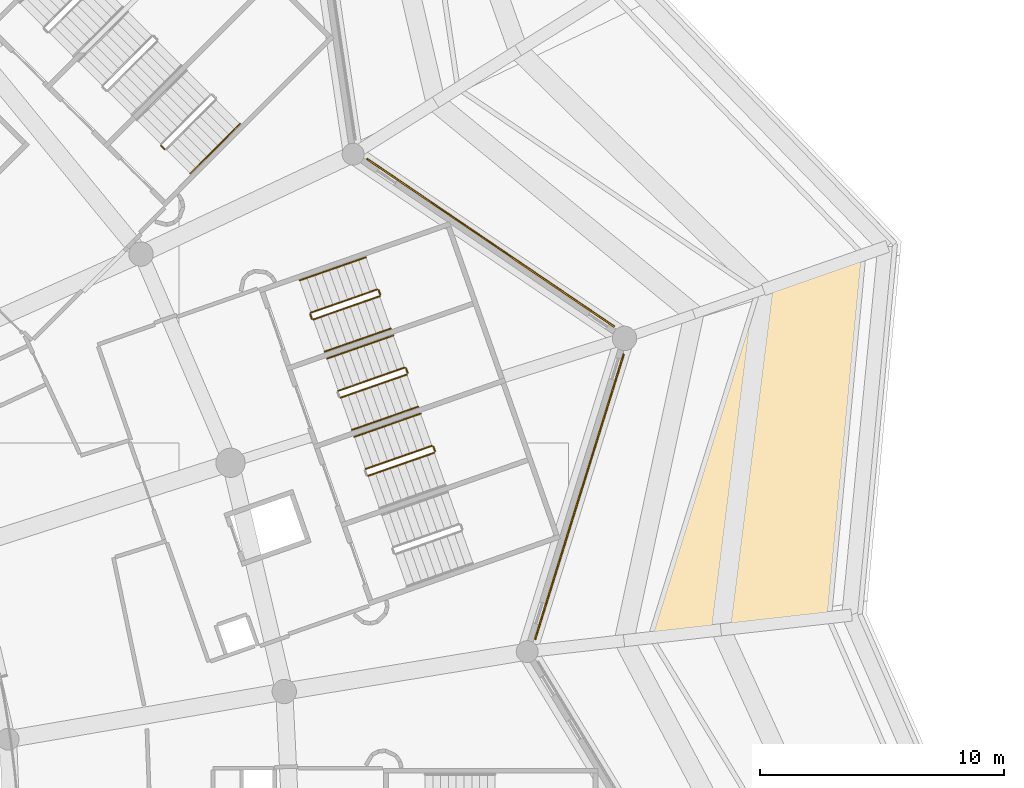
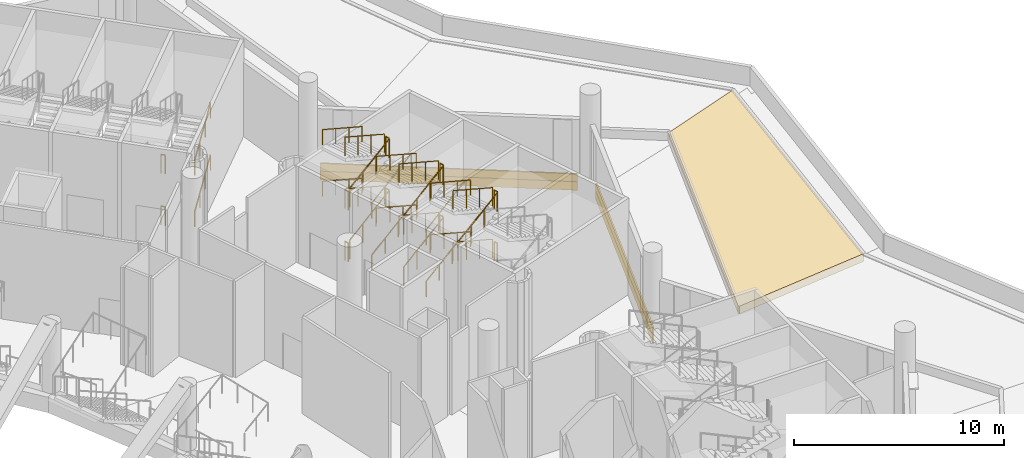
# One storey, part 165 of 173: 33 railings, 5 coverings.
"""IFC4 building model written with IfcOpenShell, lengths in metres."""

from ifc_helpers import new_model, si_unit, direction, frame, origin, origin_2d, place, context, subcontext, project, spatial, polyline, rectangle, circle, outline, extrude, material, layer, layer_set, type_object, element, save


model = new_model("IFC4")

# Units and contexts
model_context = context("Model", 3, precision=1e-05, world=origin(), true_north=direction((0.0, 1.0)))
body_context = subcontext(model_context, "Body", "Model", "MODEL_VIEW")
ifc_project = project(units=[si_unit("LENGTHUNIT", "METRE"), si_unit("AREAUNIT", "SQUARE_METRE"), si_unit("VOLUMEUNIT", "CUBIC_METRE"), si_unit("PLANEANGLEUNIT", "RADIAN"), si_unit("MASSUNIT", "GRAM", prefix="KILO")], contexts=[model_context])

# Site, building, storey
site_placement = place(None, origin())
site = spatial("IfcSite", under=ifc_project, at=site_placement, CompositionType="ELEMENT")
building_placement = place(site_placement, origin())
building = spatial("IfcBuilding", under=site, at=building_placement, Name="Meseta Stadium", CompositionType="ELEMENT")
storey_placement = place(building_placement, frame((0.0, 0.0, 18.0)))
storey = spatial("IfcBuildingStorey", under=building, at=storey_placement, Name="L03", CompositionType="ELEMENT", Elevation=18.0)

# Coverings
ifc_material_1 = material(Name="Guadarrama granite cladding", Category="masonry")
ifc_layer_1 = layer(ifc_material_1, 0.06005859375)
ifc_layer_set_1 = layer_set([ifc_layer_1], Name="Granite plinth cladding 60")
covering_type_1 = type_object("IfcCoveringType", Name="Granite plinth cladding 60", PredefinedType="CLADDING", material=ifc_layer_set_1)
for number, where, z_axis, x_axis, name in (
    (1, (96.433349609375, 61.799560546875, 0.0), (0.0, 0.0, 1.0), (-0.29686825517, -0.954918446294, 0.0), "Granite plinth L03 F09"),
    (2, (92.787353515625, 72.219482421875, 0.0), (0.0, 0.0, 1.0), (0.827483560898, -0.561489943314, 0.0), "Granite plinth L03 F10"),
):
    element("IfcCovering", number, at=place(storey_placement, frame(where, z_axis=z_axis, x_axis=x_axis)), inside=storey, type_object=covering_type_1, Name=name, PredefinedType="CLADDING", context=body_context, shape_type="SweptSolid", body=[
        extrude(rectangle(XDim=12.273193359375, YDim=0.06005859375, at=origin_2d()), origin(), (0.0, 0.0, 1.0), 0.5),
    ])
ifc_material_2 = material(Name="Planting soil")
ifc_layer_2 = layer(ifc_material_2, 0.449951171875)
ifc_layer_set_2 = layer_set([ifc_layer_2], Name="Planting soil 450")
covering_type_2 = type_object("IfcCoveringType", Name="Planting soil 450", PredefinedType="FLOORING", material=ifc_layer_set_2)
covering_placement = place(storey_placement, origin())
element("IfcCovering", 3, at=covering_placement, inside=storey, type_object=covering_type_2, Name="Roof garden planting bed 1.1 panel 03", PredefinedType="FLOORING", context=body_context, shape_type="SweptSolid", body=[
    extrude(outline(polyline([(108.0947265625, 71.727783203125), (103.7548828125, 70.20947265625), (99.357421875, 56.06396484375), (99.38720703125, 56.015380859375), (106.683349609375, 56.83740234375), (108.0947265625, 71.727783203125)])), origin(), (0.0, 0.0, 1.0), 0.449951171875),
])

# Railings
ifc_material_3 = material(Name="Steel S355", Category="steel")
railing_type_1 = type_object("IfcRailingType", Name="Stair guard 1100", PredefinedType="GUARDRAIL", material=ifc_material_3)
railing_1_placement = place(storey_placement, frame((90.513427734375, 63.6689453125, 1.5)))
element("IfcRailing", 4, at=railing_1_placement, inside=storey, type_object=railing_type_1, Name="ST22 L03 guard 2", PredefinedType="GUARDRAIL", context=body_context, shape_type="SweptSolid", body=[
    extrude(circle(Radius=0.02392578125, at=origin_2d()), frame((0.0, 0.0, 1.076171875), z_axis=(-0.330839792317, 0.943686935281, 0.0), x_axis=(-0.943686935281, -0.330839792317, 0.0)), (0.0, 0.0, 1.0), 0.199951171875),
    extrude(circle(Radius=0.02099609375, at=origin_2d()), origin(), (0.0, 0.0, 1.0), 1.052001953125),
    extrude(circle(Radius=0.02099609375, at=origin_2d()), frame((-0.066162109375, 0.188720703125, 0.0)), (0.0, 0.0, 1.0), 1.052001953125),
])
railing_2_placement = place(storey_placement, frame((90.383544921875, 63.888427734375, 1.64990234375)))
element("IfcRailing", 5, at=railing_2_placement, inside=storey, type_object=railing_type_1, Name="ST22 L03 guard 3", PredefinedType="GUARDRAIL", context=body_context, shape_type="SweptSolid", body=[
    extrude(circle(Radius=0.02392578125, at=origin_2d()), frame((0.0, 0.0, 1.076171875), z_axis=(-0.854628651604, -0.299050945451, 0.424474262922), x_axis=(0.33028245302, -0.943882143717, 0.0)), (0.0, 0.0, 1.0), 3.1806640625),
    extrude(circle(Radius=0.02099609375, at=origin_2d()), origin(), (0.0, 0.0, 1.0), 1.052001953125),
    extrude(circle(Radius=0.02099609375, at=origin_2d()), frame((-0.906005859375, -0.317138671875, 0.449951171875)), (0.0, 0.0, 1.0), 1.052001953125),
    extrude(circle(Radius=0.02099609375, at=origin_2d()), frame((-1.812255859375, -0.634033203125, 0.900146484375)), (0.0, 0.0, 1.0), 1.052001953125),
    extrude(circle(Radius=0.02099609375, at=origin_2d()), frame((-2.71826171875, -0.951171875, 1.35009765625)), (0.0, 0.0, 1.0), 1.052001953125),
])
railing_3_placement = place(storey_placement, frame((87.764404296875, 62.654052734375, 3.14990234375)))
element("IfcRailing", 6, at=railing_3_placement, inside=storey, type_object=railing_type_1, Name="ST22 L03 guard 5", PredefinedType="GUARDRAIL", context=body_context, shape_type="SweptSolid", body=[
    extrude(circle(Radius=0.02392578125, at=origin_2d()), frame((0.0, 0.0, 1.076171875), z_axis=(0.854628651604, 0.299050945451, 0.424474262922), x_axis=(-0.33028245302, 0.943882143717, 0.0)), (0.0, 0.0, 1.0), 3.1806640625),
    extrude(circle(Radius=0.02099609375, at=origin_2d()), origin(), (0.0, 0.0, 1.0), 1.052001953125),
    extrude(circle(Radius=0.02099609375, at=origin_2d()), frame((0.906005859375, 0.317138671875, 0.449951171875)), (0.0, 0.0, 1.0), 1.052001953125),
    extrude(circle(Radius=0.02099609375, at=origin_2d()), frame((1.812255859375, 0.634033203125, 0.900146484375)), (0.0, 0.0, 1.0), 1.052001953125),
    extrude(circle(Radius=0.02099609375, at=origin_2d()), frame((2.71826171875, 0.951171875, 1.35009765625)), (0.0, 0.0, 1.0), 1.052001953125),
])
railing_4_placement = place(storey_placement, frame((90.513427734375, 63.6689453125, 4.5)))
element("IfcRailing", 7, at=railing_4_placement, inside=storey, type_object=railing_type_1, Name="ST22 L03 guard 6", PredefinedType="GUARDRAIL", context=body_context, shape_type="SweptSolid", body=[
    extrude(circle(Radius=0.02392578125, at=origin_2d()), frame((0.0, 0.0, 1.076171875), z_axis=(-0.330839792317, 0.943686935281, 0.0), x_axis=(-0.943686935281, -0.330839792317, 0.0)), (0.0, 0.0, 1.0), 0.199951171875),
    extrude(circle(Radius=0.02099609375, at=origin_2d()), origin(), (0.0, 0.0, 1.0), 1.052001953125),
    extrude(circle(Radius=0.02099609375, at=origin_2d()), frame((-0.066162109375, 0.188720703125, 0.0)), (0.0, 0.0, 1.0), 1.052001953125),
])
railing_5_placement = place(storey_placement, frame((90.383544921875, 63.888427734375, 4.64990234375)))
element("IfcRailing", 8, at=railing_5_placement, inside=storey, type_object=railing_type_1, Name="ST22 L03 guard 7", PredefinedType="GUARDRAIL", context=body_context, shape_type="SweptSolid", body=[
    extrude(circle(Radius=0.02392578125, at=origin_2d()), frame((0.0, 0.0, 1.076171875), z_axis=(-0.854628651604, -0.299050945451, 0.424474262922), x_axis=(0.33028245302, -0.943882143717, 0.0)), (0.0, 0.0, 1.0), 3.1806640625),
    extrude(circle(Radius=0.02099609375, at=origin_2d()), origin(), (0.0, 0.0, 1.0), 1.052001953125),
    extrude(circle(Radius=0.02099609375, at=origin_2d()), frame((-0.906005859375, -0.317138671875, 0.449951171875)), (0.0, 0.0, 1.0), 1.052001953125),
    extrude(circle(Radius=0.02099609375, at=origin_2d()), frame((-1.812255859375, -0.634033203125, 0.900146484375)), (0.0, 0.0, 1.0), 1.052001953125),
    extrude(circle(Radius=0.02099609375, at=origin_2d()), frame((-2.71826171875, -0.951171875, 1.35009765625)), (0.0, 0.0, 1.0), 1.052001953125),
])
railing_6_placement = place(storey_placement, frame((86.641357421875, 65.86328125, 0.14990234375)))
element("IfcRailing", 9, at=railing_6_placement, inside=storey, type_object=railing_type_1, Name="ST23 L03 guard 1", PredefinedType="GUARDRAIL", context=body_context, shape_type="SweptSolid", body=[
    extrude(circle(Radius=0.02392578125, at=origin_2d()), frame((0.0, 0.0, 1.076171875), z_axis=(0.854649344405, 0.299031328765, 0.42444641891), x_axis=(-0.330256026668, 0.943891390388, 0.0)), (0.0, 0.0, 1.0), 3.180908203125),
    extrude(circle(Radius=0.02099609375, at=origin_2d()), origin(), (0.0, 0.0, 1.0), 1.052001953125),
    extrude(circle(Radius=0.02099609375, at=origin_2d()), frame((0.90625, 0.317138671875, 0.449951171875)), (0.0, 0.0, 1.0), 1.052001953125),
    extrude(circle(Radius=0.02099609375, at=origin_2d()), frame((1.812255859375, 0.634033203125, 0.900146484375)), (0.0, 0.0, 1.0), 1.052001953125),
    extrude(circle(Radius=0.02099609375, at=origin_2d()), frame((2.718505859375, 0.951171875, 1.35009765625)), (0.0, 0.0, 1.0), 1.052001953125),
])
railing_7_placement = place(storey_placement, frame((89.390380859375, 66.878173828125, 1.5)))
element("IfcRailing", 10, at=railing_7_placement, inside=storey, type_object=railing_type_1, Name="ST23 L03 guard 2", PredefinedType="GUARDRAIL", context=body_context, shape_type="SweptSolid", body=[
    extrude(circle(Radius=0.02392578125, at=origin_2d()), frame((0.0, 0.0, 1.076171875), z_axis=(-0.329751946816, 0.944067610699, 0.0), x_axis=(-0.944067610699, -0.329751946816, 0.0)), (0.0, 0.0, 1.0), 0.199951171875),
    extrude(circle(Radius=0.02099609375, at=origin_2d()), origin(), (0.0, 0.0, 1.0), 1.052001953125),
    extrude(circle(Radius=0.02099609375, at=origin_2d()), frame((-0.06591796875, 0.188720703125, 0.0)), (0.0, 0.0, 1.0), 1.052001953125),
])
railing_8_placement = place(storey_placement, frame((89.2607421875, 67.09765625, 1.64990234375)))
element("IfcRailing", 11, at=railing_8_placement, inside=storey, type_object=railing_type_1, Name="ST23 L03 guard 3", PredefinedType="GUARDRAIL", context=body_context, shape_type="SweptSolid", body=[
    extrude(circle(Radius=0.02392578125, at=origin_2d()), frame((0.0, 0.0, 1.076171875), z_axis=(-0.854629726927, -0.29910121651, 0.424436676238), x_axis=(0.330331545909, -0.943864963741, 0.0)), (0.0, 0.0, 1.0), 3.180908203125),
    extrude(circle(Radius=0.02099609375, at=origin_2d()), origin(), (0.0, 0.0, 1.0), 1.052001953125),
    extrude(circle(Radius=0.02099609375, at=origin_2d()), frame((-0.90625, -0.317138671875, 0.449951171875)), (0.0, 0.0, 1.0), 1.052001953125),
    extrude(circle(Radius=0.02099609375, at=origin_2d()), frame((-1.812255859375, -0.63427734375, 0.900146484375)), (0.0, 0.0, 1.0), 1.052001953125),
    extrude(circle(Radius=0.02099609375, at=origin_2d()), frame((-2.718505859375, -0.951416015625, 1.35009765625)), (0.0, 0.0, 1.0), 1.052001953125),
])
railing_9_placement = place(storey_placement, frame((86.641357421875, 65.86328125, 3.14990234375)))
element("IfcRailing", 12, at=railing_9_placement, inside=storey, type_object=railing_type_1, Name="ST23 L03 guard 5", PredefinedType="GUARDRAIL", context=body_context, shape_type="SweptSolid", body=[
    extrude(circle(Radius=0.02392578125, at=origin_2d()), frame((0.0, 0.0, 1.076171875), z_axis=(0.854649344405, 0.299031328765, 0.42444641891), x_axis=(-0.330256026668, 0.943891390388, 0.0)), (0.0, 0.0, 1.0), 3.180908203125),
    extrude(circle(Radius=0.02099609375, at=origin_2d()), origin(), (0.0, 0.0, 1.0), 1.052001953125),
    extrude(circle(Radius=0.02099609375, at=origin_2d()), frame((0.90625, 0.317138671875, 0.449951171875)), (0.0, 0.0, 1.0), 1.052001953125),
    extrude(circle(Radius=0.02099609375, at=origin_2d()), frame((1.812255859375, 0.634033203125, 0.900146484375)), (0.0, 0.0, 1.0), 1.052001953125),
    extrude(circle(Radius=0.02099609375, at=origin_2d()), frame((2.718505859375, 0.951171875, 1.35009765625)), (0.0, 0.0, 1.0), 1.052001953125),
])
railing_10_placement = place(storey_placement, frame((89.390380859375, 66.878173828125, 4.5)))
element("IfcRailing", 13, at=railing_10_placement, inside=storey, type_object=railing_type_1, Name="ST23 L03 guard 6", PredefinedType="GUARDRAIL", context=body_context, shape_type="SweptSolid", body=[
    extrude(circle(Radius=0.02392578125, at=origin_2d()), frame((0.0, 0.0, 1.076171875), z_axis=(-0.329751946816, 0.944067610699, 0.0), x_axis=(-0.944067610699, -0.329751946816, 0.0)), (0.0, 0.0, 1.0), 0.199951171875),
    extrude(circle(Radius=0.02099609375, at=origin_2d()), origin(), (0.0, 0.0, 1.0), 1.052001953125),
    extrude(circle(Radius=0.02099609375, at=origin_2d()), frame((-0.06591796875, 0.188720703125, 0.0)), (0.0, 0.0, 1.0), 1.052001953125),
])
railing_11_placement = place(storey_placement, frame((89.2607421875, 67.09765625, 4.64990234375)))
element("IfcRailing", 14, at=railing_11_placement, inside=storey, type_object=railing_type_1, Name="ST23 L03 guard 7", PredefinedType="GUARDRAIL", context=body_context, shape_type="SweptSolid", body=[
    extrude(circle(Radius=0.02392578125, at=origin_2d()), frame((0.0, 0.0, 1.076171875), z_axis=(-0.854629726927, -0.29910121651, 0.424436676238), x_axis=(0.330331545909, -0.943864963741, 0.0)), (0.0, 0.0, 1.0), 3.180908203125),
    extrude(circle(Radius=0.02099609375, at=origin_2d()), origin(), (0.0, 0.0, 1.0), 1.052001953125),
    extrude(circle(Radius=0.02099609375, at=origin_2d()), frame((-0.90625, -0.317138671875, 0.449951171875)), (0.0, 0.0, 1.0), 1.052001953125),
    extrude(circle(Radius=0.02099609375, at=origin_2d()), frame((-1.812255859375, -0.63427734375, 0.900146484375)), (0.0, 0.0, 1.0), 1.052001953125),
    extrude(circle(Radius=0.02099609375, at=origin_2d()), frame((-2.718505859375, -0.951416015625, 1.35009765625)), (0.0, 0.0, 1.0), 1.052001953125),
])
railing_12_placement = place(storey_placement, frame((85.518310546875, 69.072509765625, 0.14990234375)))
element("IfcRailing", 15, at=railing_12_placement, inside=storey, type_object=railing_type_1, Name="ST24 L03 guard 1", PredefinedType="GUARDRAIL", context=body_context, shape_type="SweptSolid", body=[
    extrude(circle(Radius=0.02392578125, at=origin_2d()), frame((0.0, 0.0, 1.076171875), z_axis=(0.854649344405, 0.299031328765, 0.42444641891), x_axis=(-0.330256026668, 0.943891390388, 0.0)), (0.0, 0.0, 1.0), 3.180908203125),
    extrude(circle(Radius=0.02099609375, at=origin_2d()), origin(), (0.0, 0.0, 1.0), 1.052001953125),
    extrude(circle(Radius=0.02099609375, at=origin_2d()), frame((0.90625, 0.317138671875, 0.449951171875)), (0.0, 0.0, 1.0), 1.052001953125),
    extrude(circle(Radius=0.02099609375, at=origin_2d()), frame((1.812255859375, 0.634033203125, 0.900146484375)), (0.0, 0.0, 1.0), 1.052001953125),
    extrude(circle(Radius=0.02099609375, at=origin_2d()), frame((2.718505859375, 0.951171875, 1.35009765625)), (0.0, 0.0, 1.0), 1.052001953125),
])
railing_13_placement = place(storey_placement, frame((88.267578125, 70.08740234375, 1.5)))
element("IfcRailing", 16, at=railing_13_placement, inside=storey, type_object=railing_type_1, Name="ST24 L03 guard 2", PredefinedType="GUARDRAIL", context=body_context, shape_type="SweptSolid", body=[
    extrude(circle(Radius=0.02392578125, at=origin_2d()), frame((0.0, 0.0, 1.076171875), z_axis=(-0.330839792317, 0.943686935281, 0.0), x_axis=(-0.943686935281, -0.330839792317, 0.0)), (0.0, 0.0, 1.0), 0.199951171875),
    extrude(circle(Radius=0.02099609375, at=origin_2d()), origin(), (0.0, 0.0, 1.0), 1.052001953125),
    extrude(circle(Radius=0.02099609375, at=origin_2d()), frame((-0.066162109375, 0.188720703125, 0.0)), (0.0, 0.0, 1.0), 1.052001953125),
])
railing_14_placement = place(storey_placement, frame((88.1376953125, 70.306640625, 1.64990234375)))
element("IfcRailing", 17, at=railing_14_placement, inside=storey, type_object=railing_type_1, Name="ST24 L03 guard 3", PredefinedType="GUARDRAIL", context=body_context, shape_type="SweptSolid", body=[
    extrude(circle(Radius=0.02392578125, at=origin_2d()), frame((0.0, 0.0, 1.076171875), z_axis=(-0.854628651604, -0.299050945451, 0.424474262922), x_axis=(0.33028245302, -0.943882143717, 0.0)), (0.0, 0.0, 1.0), 3.1806640625),
    extrude(circle(Radius=0.02099609375, at=origin_2d()), origin(), (0.0, 0.0, 1.0), 1.052001953125),
    extrude(circle(Radius=0.02099609375, at=origin_2d()), frame((-0.906005859375, -0.317138671875, 0.449951171875)), (0.0, 0.0, 1.0), 1.052001953125),
    extrude(circle(Radius=0.02099609375, at=origin_2d()), frame((-1.812255859375, -0.634033203125, 0.900146484375)), (0.0, 0.0, 1.0), 1.052001953125),
    extrude(circle(Radius=0.02099609375, at=origin_2d()), frame((-2.71826171875, -0.951171875, 1.35009765625)), (0.0, 0.0, 1.0), 1.052001953125),
])
railing_15_placement = place(storey_placement, frame((85.454833984375, 69.10302734375, 3.0)))
element("IfcRailing", 18, at=railing_15_placement, inside=storey, type_object=railing_type_1, Name="ST24 L03 guard 4", PredefinedType="GUARDRAIL", context=body_context, shape_type="SweptSolid", body=[
    extrude(circle(Radius=0.02392578125, at=origin_2d()), frame((0.0, 0.0, 1.076171875), z_axis=(-0.330839792317, 0.943686935281, 0.0), x_axis=(-0.943686935281, -0.330839792317, 0.0)), (0.0, 0.0, 1.0), 0.199951171875),
    extrude(circle(Radius=0.02099609375, at=origin_2d()), origin(), (0.0, 0.0, 1.0), 1.052001953125),
    extrude(circle(Radius=0.02099609375, at=origin_2d()), frame((-0.066162109375, 0.188720703125, 0.0)), (0.0, 0.0, 1.0), 1.052001953125),
])
railing_16_placement = place(storey_placement, frame((85.518310546875, 69.072509765625, 3.14990234375)))
element("IfcRailing", 19, at=railing_16_placement, inside=storey, type_object=railing_type_1, Name="ST24 L03 guard 5", PredefinedType="GUARDRAIL", context=body_context, shape_type="SweptSolid", body=[
    extrude(circle(Radius=0.02392578125, at=origin_2d()), frame((0.0, 0.0, 1.076171875), z_axis=(0.854649344405, 0.299031328765, 0.42444641891), x_axis=(-0.330256026668, 0.943891390388, 0.0)), (0.0, 0.0, 1.0), 3.180908203125),
    extrude(circle(Radius=0.02099609375, at=origin_2d()), origin(), (0.0, 0.0, 1.0), 1.052001953125),
    extrude(circle(Radius=0.02099609375, at=origin_2d()), frame((0.90625, 0.317138671875, 0.449951171875)), (0.0, 0.0, 1.0), 1.052001953125),
    extrude(circle(Radius=0.02099609375, at=origin_2d()), frame((1.812255859375, 0.634033203125, 0.900146484375)), (0.0, 0.0, 1.0), 1.052001953125),
    extrude(circle(Radius=0.02099609375, at=origin_2d()), frame((2.718505859375, 0.951171875, 1.35009765625)), (0.0, 0.0, 1.0), 1.052001953125),
])
railing_17_placement = place(storey_placement, frame((88.267578125, 70.08740234375, 4.5)))
element("IfcRailing", 20, at=railing_17_placement, inside=storey, type_object=railing_type_1, Name="ST24 L03 guard 6", PredefinedType="GUARDRAIL", context=body_context, shape_type="SweptSolid", body=[
    extrude(circle(Radius=0.02392578125, at=origin_2d()), frame((0.0, 0.0, 1.076171875), z_axis=(-0.330839792317, 0.943686935281, 0.0), x_axis=(-0.943686935281, -0.330839792317, 0.0)), (0.0, 0.0, 1.0), 0.199951171875),
    extrude(circle(Radius=0.02099609375, at=origin_2d()), origin(), (0.0, 0.0, 1.0), 1.052001953125),
    extrude(circle(Radius=0.02099609375, at=origin_2d()), frame((-0.066162109375, 0.188720703125, 0.0)), (0.0, 0.0, 1.0), 1.052001953125),
])
railing_18_placement = place(storey_placement, frame((88.1376953125, 70.306640625, 4.64990234375)))
element("IfcRailing", 21, at=railing_18_placement, inside=storey, type_object=railing_type_1, Name="ST24 L03 guard 7", PredefinedType="GUARDRAIL", context=body_context, shape_type="SweptSolid", body=[
    extrude(circle(Radius=0.02392578125, at=origin_2d()), frame((0.0, 0.0, 1.076171875), z_axis=(-0.854628651604, -0.299050945451, 0.424474262922), x_axis=(0.33028245302, -0.943882143717, 0.0)), (0.0, 0.0, 1.0), 3.1806640625),
    extrude(circle(Radius=0.02099609375, at=origin_2d()), origin(), (0.0, 0.0, 1.0), 1.052001953125),
    extrude(circle(Radius=0.02099609375, at=origin_2d()), frame((-0.906005859375, -0.317138671875, 0.449951171875)), (0.0, 0.0, 1.0), 1.052001953125),
    extrude(circle(Radius=0.02099609375, at=origin_2d()), frame((-1.812255859375, -0.634033203125, 0.900146484375)), (0.0, 0.0, 1.0), 1.052001953125),
    extrude(circle(Radius=0.02099609375, at=origin_2d()), frame((-2.71826171875, -0.951171875, 1.35009765625)), (0.0, 0.0, 1.0), 1.052001953125),
])
railing_19_placement = place(storey_placement, frame((85.454833984375, 69.10302734375, 0.0)))
element("IfcRailing", 22, at=railing_19_placement, inside=storey, type_object=railing_type_1, Name="ST24 L03 guard 8", PredefinedType="GUARDRAIL", context=body_context, shape_type="SweptSolid", body=[
    extrude(circle(Radius=0.02392578125, at=origin_2d()), frame((0.0, 0.0, 1.076171875), z_axis=(-0.330839792317, 0.943686935281, 0.0), x_axis=(-0.943686935281, -0.330839792317, 0.0)), (0.0, 0.0, 1.0), 0.199951171875),
    extrude(circle(Radius=0.02099609375, at=origin_2d()), origin(), (0.0, 0.0, 1.0), 1.052001953125),
    extrude(circle(Radius=0.02099609375, at=origin_2d()), frame((-0.066162109375, 0.188720703125, 0.0)), (0.0, 0.0, 1.0), 1.052001953125),
])
for number, where, name in (
    (23, (79.410888671875, 76.056884765625, 3.0), "ST25 L03 guard 4"),
    (24, (79.410888671875, 76.056884765625, 0.0), "ST25 L03 guard 8"),
):
    element("IfcRailing", number, at=place(storey_placement, frame(where)), inside=storey, type_object=railing_type_1, Name=name, PredefinedType="GUARDRAIL", context=body_context, shape_type="SweptSolid", body=[
        extrude(circle(Radius=0.02392578125, at=origin_2d()), frame((0.0, 0.0, 1.076171875), z_axis=(-0.707716618519, 0.706496417452, 0.0), x_axis=(-0.706496417452, -0.707716618519, 0.0)), (0.0, 0.0, 1.0), 0.2001953125),
        extrude(circle(Radius=0.02099609375, at=origin_2d()), origin(), (0.0, 0.0, 1.0), 1.052001953125),
        extrude(circle(Radius=0.02099609375, at=origin_2d()), frame((-0.1416015625, 0.141357421875, 0.0)), (0.0, 0.0, 1.0), 1.052001953125),
    ])
ifc_material_4 = material(Name="Steel S355", Category="steel")
railing_type_2 = type_object("IfcRailingType", Name="Stair handrail 900", PredefinedType="HANDRAIL", material=ifc_material_4)
for number, where, name in (
    (25, (89.921142578125, 65.209716796875, 1.64990234375), "ST22 L03 handrail 2"),
    (26, (89.921142578125, 65.209716796875, 4.64990234375), "ST22 L03 handrail 4"),
):
    element("IfcRailing", number, at=place(storey_placement, frame(where)), inside=storey, type_object=railing_type_2, Name=name, PredefinedType="HANDRAIL", context=body_context, shape_type="SweptSolid", body=[
        extrude(circle(Radius=0.02392578125, at=origin_2d()), frame((0.0, 0.0, 0.8759765625), z_axis=(-0.854628651604, -0.299050945451, 0.424474262922), x_axis=(0.33028245302, -0.943882143717, 0.0)), (0.0, 0.0, 1.0), 3.1806640625),
        extrude(circle(Radius=0.02099609375, at=origin_2d()), origin(), (0.0, 0.0, 1.0), 0.851806640625),
        extrude(circle(Radius=0.02099609375, at=origin_2d()), frame((-0.906005859375, -0.317138671875, 0.449951171875)), (0.0, 0.0, 1.0), 0.851806640625),
        extrude(circle(Radius=0.02099609375, at=origin_2d()), frame((-1.812255859375, -0.634033203125, 0.900146484375)), (0.0, 0.0, 1.0), 0.851806640625),
        extrude(circle(Radius=0.02099609375, at=origin_2d()), frame((-2.71826171875, -0.951171875, 1.35009765625)), (0.0, 0.0, 1.0), 0.851806640625),
    ])
railing_20_placement = place(storey_placement, frame((87.103759765625, 64.541748046875, 0.14990234375)))
element("IfcRailing", 27, at=railing_20_placement, inside=storey, type_object=railing_type_2, Name="ST23 L03 handrail 1", PredefinedType="HANDRAIL", context=body_context, shape_type="SweptSolid", body=[
    extrude(circle(Radius=0.02392578125, at=origin_2d()), frame((0.0, 0.0, 0.8759765625), z_axis=(0.854649344405, 0.299031328765, 0.42444641891), x_axis=(-0.330256026668, 0.943891390388, 0.0)), (0.0, 0.0, 1.0), 3.180908203125),
    extrude(circle(Radius=0.02099609375, at=origin_2d()), origin(), (0.0, 0.0, 1.0), 0.851806640625),
    extrude(circle(Radius=0.02099609375, at=origin_2d()), frame((0.90625, 0.317138671875, 0.449951171875)), (0.0, 0.0, 1.0), 0.851806640625),
    extrude(circle(Radius=0.02099609375, at=origin_2d()), frame((1.812255859375, 0.634033203125, 0.900146484375)), (0.0, 0.0, 1.0), 0.851806640625),
    extrude(circle(Radius=0.02099609375, at=origin_2d()), frame((2.718505859375, 0.951171875, 1.35009765625)), (0.0, 0.0, 1.0), 0.851806640625),
])
railing_21_placement = place(storey_placement, frame((88.79833984375, 68.4189453125, 1.64990234375)))
element("IfcRailing", 28, at=railing_21_placement, inside=storey, type_object=railing_type_2, Name="ST23 L03 handrail 2", PredefinedType="HANDRAIL", context=body_context, shape_type="SweptSolid", body=[
    extrude(circle(Radius=0.02392578125, at=origin_2d()), frame((0.0, 0.0, 0.8759765625), z_axis=(-0.854649344405, -0.299031328765, 0.42444641891), x_axis=(0.330256026668, -0.943891390388, 0.0)), (0.0, 0.0, 1.0), 3.180908203125),
    extrude(circle(Radius=0.02099609375, at=origin_2d()), origin(), (0.0, 0.0, 1.0), 0.851806640625),
    extrude(circle(Radius=0.02099609375, at=origin_2d()), frame((-0.90625, -0.317138671875, 0.449951171875)), (0.0, 0.0, 1.0), 0.851806640625),
    extrude(circle(Radius=0.02099609375, at=origin_2d()), frame((-1.812255859375, -0.634033203125, 0.900146484375)), (0.0, 0.0, 1.0), 0.851806640625),
    extrude(circle(Radius=0.02099609375, at=origin_2d()), frame((-2.718505859375, -0.951171875, 1.35009765625)), (0.0, 0.0, 1.0), 0.851806640625),
])
railing_22_placement = place(storey_placement, frame((87.103759765625, 64.541748046875, 3.14990234375)))
element("IfcRailing", 29, at=railing_22_placement, inside=storey, type_object=railing_type_2, Name="ST23 L03 handrail 3", PredefinedType="HANDRAIL", context=body_context, shape_type="SweptSolid", body=[
    extrude(circle(Radius=0.02392578125, at=origin_2d()), frame((0.0, 0.0, 0.8759765625), z_axis=(0.854649344405, 0.299031328765, 0.42444641891), x_axis=(-0.330256026668, 0.943891390388, 0.0)), (0.0, 0.0, 1.0), 3.180908203125),
    extrude(circle(Radius=0.02099609375, at=origin_2d()), origin(), (0.0, 0.0, 1.0), 0.851806640625),
    extrude(circle(Radius=0.02099609375, at=origin_2d()), frame((0.90625, 0.317138671875, 0.449951171875)), (0.0, 0.0, 1.0), 0.851806640625),
    extrude(circle(Radius=0.02099609375, at=origin_2d()), frame((1.812255859375, 0.634033203125, 0.900146484375)), (0.0, 0.0, 1.0), 0.851806640625),
    extrude(circle(Radius=0.02099609375, at=origin_2d()), frame((2.718505859375, 0.951171875, 1.35009765625)), (0.0, 0.0, 1.0), 0.851806640625),
])
railing_23_placement = place(storey_placement, frame((88.79833984375, 68.4189453125, 4.64990234375)))
element("IfcRailing", 30, at=railing_23_placement, inside=storey, type_object=railing_type_2, Name="ST23 L03 handrail 4", PredefinedType="HANDRAIL", context=body_context, shape_type="SweptSolid", body=[
    extrude(circle(Radius=0.02392578125, at=origin_2d()), frame((0.0, 0.0, 0.8759765625), z_axis=(-0.854649344405, -0.299031328765, 0.42444641891), x_axis=(0.330256026668, -0.943891390388, 0.0)), (0.0, 0.0, 1.0), 3.180908203125),
    extrude(circle(Radius=0.02099609375, at=origin_2d()), origin(), (0.0, 0.0, 1.0), 0.851806640625),
    extrude(circle(Radius=0.02099609375, at=origin_2d()), frame((-0.90625, -0.317138671875, 0.449951171875)), (0.0, 0.0, 1.0), 0.851806640625),
    extrude(circle(Radius=0.02099609375, at=origin_2d()), frame((-1.812255859375, -0.634033203125, 0.900146484375)), (0.0, 0.0, 1.0), 0.851806640625),
    extrude(circle(Radius=0.02099609375, at=origin_2d()), frame((-2.718505859375, -0.951171875, 1.35009765625)), (0.0, 0.0, 1.0), 0.851806640625),
])
railing_24_placement = place(storey_placement, frame((85.980712890625, 67.7509765625, 0.14990234375)))
element("IfcRailing", 31, at=railing_24_placement, inside=storey, type_object=railing_type_2, Name="ST24 L03 handrail 1", PredefinedType="HANDRAIL", context=body_context, shape_type="SweptSolid", body=[
    extrude(circle(Radius=0.02392578125, at=origin_2d()), frame((0.0, 0.0, 0.8759765625), z_axis=(0.854649344405, 0.299031328765, 0.42444641891), x_axis=(-0.330256026668, 0.943891390388, 0.0)), (0.0, 0.0, 1.0), 3.180908203125),
    extrude(circle(Radius=0.02099609375, at=origin_2d()), origin(), (0.0, 0.0, 1.0), 0.851806640625),
    extrude(circle(Radius=0.02099609375, at=origin_2d()), frame((0.90625, 0.317138671875, 0.449951171875)), (0.0, 0.0, 1.0), 0.851806640625),
    extrude(circle(Radius=0.02099609375, at=origin_2d()), frame((1.812255859375, 0.634033203125, 0.900146484375)), (0.0, 0.0, 1.0), 0.851806640625),
    extrude(circle(Radius=0.02099609375, at=origin_2d()), frame((2.718505859375, 0.951171875, 1.35009765625)), (0.0, 0.0, 1.0), 0.851806640625),
])
railing_25_placement = place(storey_placement, frame((87.67529296875, 71.628173828125, 1.64990234375)))
element("IfcRailing", 32, at=railing_25_placement, inside=storey, type_object=railing_type_2, Name="ST24 L03 handrail 2", PredefinedType="HANDRAIL", context=body_context, shape_type="SweptSolid", body=[
    extrude(circle(Radius=0.02392578125, at=origin_2d()), frame((0.0, 0.0, 0.8759765625), z_axis=(-0.854628651604, -0.299050945451, 0.424474262922), x_axis=(0.33028245302, -0.943882143717, 0.0)), (0.0, 0.0, 1.0), 3.1806640625),
    extrude(circle(Radius=0.02099609375, at=origin_2d()), origin(), (0.0, 0.0, 1.0), 0.851806640625),
    extrude(circle(Radius=0.02099609375, at=origin_2d()), frame((-0.906005859375, -0.317138671875, 0.449951171875)), (0.0, 0.0, 1.0), 0.851806640625),
    extrude(circle(Radius=0.02099609375, at=origin_2d()), frame((-1.812255859375, -0.634033203125, 0.900146484375)), (0.0, 0.0, 1.0), 0.851806640625),
    extrude(circle(Radius=0.02099609375, at=origin_2d()), frame((-2.71826171875, -0.951171875, 1.35009765625)), (0.0, 0.0, 1.0), 0.851806640625),
])
railing_26_placement = place(storey_placement, frame((85.980712890625, 67.7509765625, 3.14990234375)))
element("IfcRailing", 33, at=railing_26_placement, inside=storey, type_object=railing_type_2, Name="ST24 L03 handrail 3", PredefinedType="HANDRAIL", context=body_context, shape_type="SweptSolid", body=[
    extrude(circle(Radius=0.02392578125, at=origin_2d()), frame((0.0, 0.0, 0.8759765625), z_axis=(0.854649344405, 0.299031328765, 0.42444641891), x_axis=(-0.330256026668, 0.943891390388, 0.0)), (0.0, 0.0, 1.0), 3.180908203125),
    extrude(circle(Radius=0.02099609375, at=origin_2d()), origin(), (0.0, 0.0, 1.0), 0.851806640625),
    extrude(circle(Radius=0.02099609375, at=origin_2d()), frame((0.90625, 0.317138671875, 0.449951171875)), (0.0, 0.0, 1.0), 0.851806640625),
    extrude(circle(Radius=0.02099609375, at=origin_2d()), frame((1.812255859375, 0.634033203125, 0.900146484375)), (0.0, 0.0, 1.0), 0.851806640625),
    extrude(circle(Radius=0.02099609375, at=origin_2d()), frame((2.718505859375, 0.951171875, 1.35009765625)), (0.0, 0.0, 1.0), 0.851806640625),
])
railing_27_placement = place(storey_placement, frame((87.67529296875, 71.628173828125, 4.64990234375)))
element("IfcRailing", 34, at=railing_27_placement, inside=storey, type_object=railing_type_2, Name="ST24 L03 handrail 4", PredefinedType="HANDRAIL", context=body_context, shape_type="SweptSolid", body=[
    extrude(circle(Radius=0.02392578125, at=origin_2d()), frame((0.0, 0.0, 0.8759765625), z_axis=(-0.854628651604, -0.299050945451, 0.424474262922), x_axis=(0.33028245302, -0.943882143717, 0.0)), (0.0, 0.0, 1.0), 3.1806640625),
    extrude(circle(Radius=0.02099609375, at=origin_2d()), origin(), (0.0, 0.0, 1.0), 0.851806640625),
    extrude(circle(Radius=0.02099609375, at=origin_2d()), frame((-0.906005859375, -0.317138671875, 0.449951171875)), (0.0, 0.0, 1.0), 0.851806640625),
    extrude(circle(Radius=0.02099609375, at=origin_2d()), frame((-1.812255859375, -0.634033203125, 0.900146484375)), (0.0, 0.0, 1.0), 0.851806640625),
    extrude(circle(Radius=0.02099609375, at=origin_2d()), frame((-2.71826171875, -0.951171875, 1.35009765625)), (0.0, 0.0, 1.0), 0.851806640625),
])
for number, where, name in (
    (35, (80.471435546875, 75.06689453125, 0.14990234375), "ST25 L03 handrail 1"),
    (36, (80.471435546875, 75.06689453125, 3.14990234375), "ST25 L03 handrail 3"),
):
    element("IfcRailing", number, at=place(storey_placement, frame(where)), inside=storey, type_object=railing_type_2, Name=name, PredefinedType="HANDRAIL", context=body_context, shape_type="SweptSolid", body=[
        extrude(circle(Radius=0.02392578125, at=origin_2d()), frame((0.0, 0.0, 0.8759765625), z_axis=(0.640211215754, 0.640287970486, 0.424453665402), x_axis=(-0.707149164786, 0.707064395047, 0.0)), (0.0, 0.0, 1.0), 3.180908203125),
        extrude(circle(Radius=0.02099609375, at=origin_2d()), origin(), (0.0, 0.0, 1.0), 0.851806640625),
        extrude(circle(Radius=0.02099609375, at=origin_2d()), frame((0.6787109375, 0.678955078125, 0.449951171875)), (0.0, 0.0, 1.0), 0.851806640625),
        extrude(circle(Radius=0.02099609375, at=origin_2d()), frame((1.357666015625, 1.357666015625, 0.900146484375)), (0.0, 0.0, 1.0), 0.851806640625),
        extrude(circle(Radius=0.02099609375, at=origin_2d()), frame((2.036376953125, 2.03662109375, 1.35009765625)), (0.0, 0.0, 1.0), 0.851806640625),
    ])

# Coverings
ifc_material_5 = material(Name="Precast concrete C40/50, terracotta pigment", Category="masonry")
ifc_layer_3 = layer(ifc_material_5, 0.080078125)
ifc_layer_set_3 = layer_set([ifc_layer_3], Name="Precast concrete C40/50, terracotta pigment")
covering_type_3 = type_object("IfcCoveringType", Name="Terracotta precast band 80", PredefinedType="CLADDING", material=ifc_layer_set_3)
for number, where, z_axis, x_axis, name in (
    (37, (96.44287109375, 61.796630859375, 0.5), (0.0, 0.0, 1.0), (-0.29686825517, -0.954918446294, 0.0), "Terracotta band L03 F09"),
    (38, (92.79296875, 72.227783203125, 0.5), (0.0, 0.0, 1.0), (0.827483560898, -0.561489943314, 0.0), "Terracotta band L03 F10"),
):
    element("IfcCovering", number, at=place(storey_placement, frame(where, z_axis=z_axis, x_axis=x_axis)), inside=storey, type_object=covering_type_3, Name=name, PredefinedType="CLADDING", context=body_context, shape_type="SweptSolid", body=[
        extrude(rectangle(XDim=12.273193359375, YDim=0.080078125, at=origin_2d()), origin(), (0.0, 0.0, 1.0), 0.449951171875),
    ])

save(model, "model.ifc")
